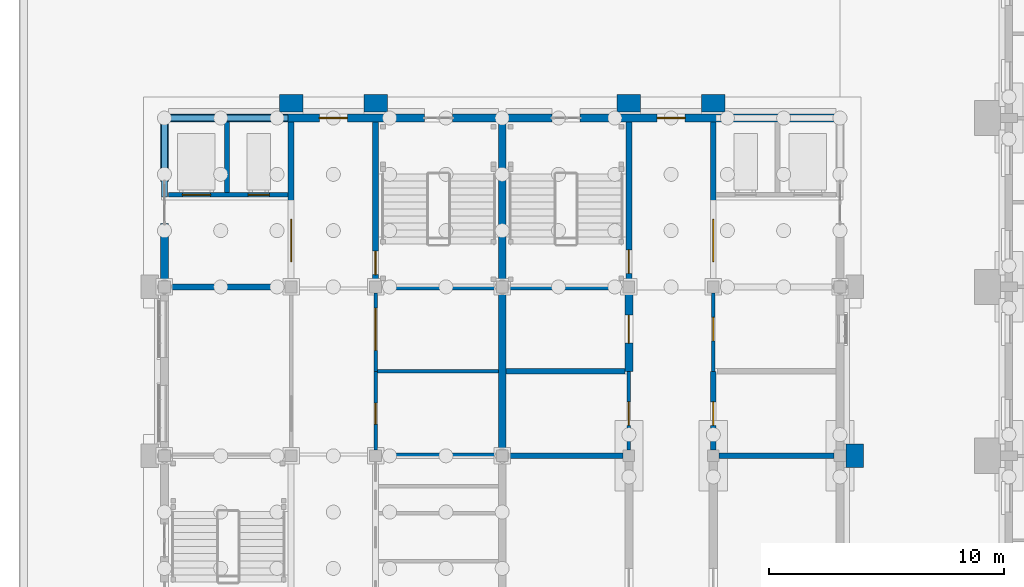
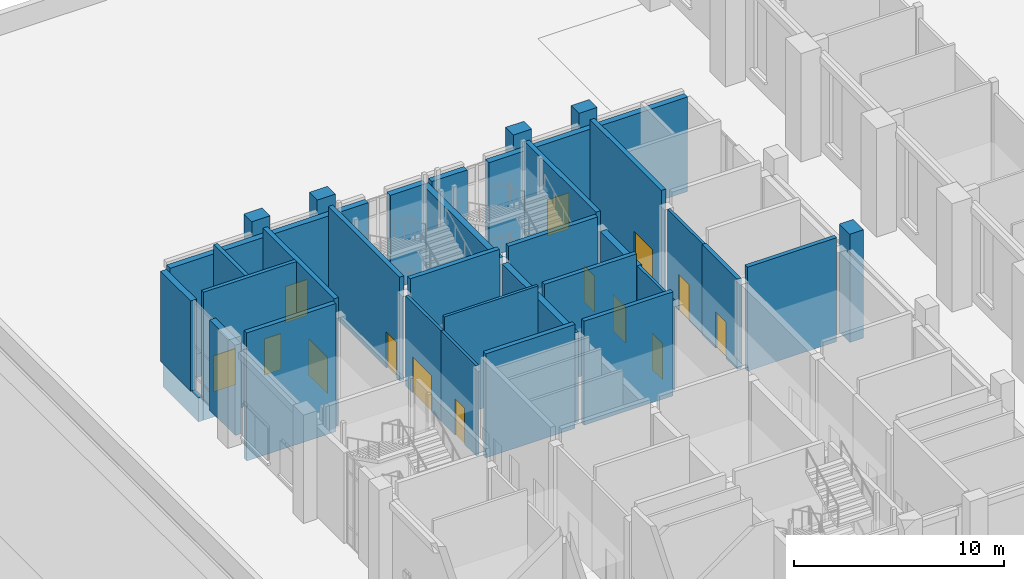
# One storey, part 36 of 84: 35 walls, 14 doors, 14 openings.
"""IFC4 building model written with IfcOpenShell, lengths in metres."""

from ifc_helpers import new_model, si_unit, direction, frame, frame_2d, origin, place, context, subcontext, project, spatial, rectangle, extrude, material, layer, layer_set, type_object, element, fill, save


model = new_model("IFC4")

# Units and contexts
model_context = context("Model", 3, precision=1e-05, world=origin(), true_north=direction((0.0, 1.0)))
body_context = subcontext(model_context, "Body", "Model", "MODEL_VIEW")
ifc_project = project(units=[si_unit("LENGTHUNIT", "METRE"), si_unit("AREAUNIT", "SQUARE_METRE"), si_unit("VOLUMEUNIT", "CUBIC_METRE"), si_unit("PLANEANGLEUNIT", "RADIAN"), si_unit("MASSUNIT", "GRAM", prefix="KILO")], contexts=[model_context])

# Site, building, storey
site_placement = place(None, origin())
site = spatial("IfcSite", under=ifc_project, at=site_placement, CompositionType="ELEMENT")
building_placement = place(site_placement, origin())
building = spatial("IfcBuilding", under=site, at=building_placement, Name="Mazhai Court Health Centre", CompositionType="ELEMENT")
storey_placement = place(building_placement, origin())
storey = spatial("IfcBuildingStorey", under=building, at=storey_placement, Name="L00", CompositionType="ELEMENT", Elevation=0.0)

# Walls
ifc_material_1 = material(Name="Clay brick masonry", Category="masonry")
ifc_layer_1 = layer(ifc_material_1, 0.75)
ifc_layer_set_1 = layer_set([ifc_layer_1], Name="BRICK PIER 750")
wall_type_1 = type_object("IfcWallType", Name="BRICK PIER 750", PredefinedType="SOLIDWALL", material=ifc_layer_set_1)
for number, where, z_axis, x_axis, name in (
    (1, (11.10009765625, 42.824951171875, 0.0), (0.0, 0.0, 1.0), (1.0, 0.0, 0.0), "EP-V2-L00-E54"),
    (2, (14.699951171875, 42.824951171875, 0.0), (0.0, 0.0, 1.0), (1.0, 0.0, 0.0), "EP-V2-L00-E90"),
    (3, (35.625, 28.300048828125, 0.0), (0.0, 0.0, 1.0), (0.0, -1.0, 0.0), "EP-V5-L00-B3"),
    (4, (25.5, 42.824951171875, 0.0), (0.0, 0.0, 1.0), (1.0, 0.0, 0.0), "EP-V5-L00-E54"),
    (5, (29.10009765625, 42.824951171875, 0.0), (0.0, 0.0, 1.0), (1.0, 0.0, 0.0), "EP-V5-L00-E90"),
):
    element("IfcWall", number, at=place(storey_placement, frame(where, z_axis=z_axis, x_axis=x_axis)), inside=storey, type_object=wall_type_1, Name=name, PredefinedType="SOLIDWALL", context=body_context, shape_type="SweptSolid", body=[
        extrude(rectangle(XDim=1.0, YDim=0.75, at=frame_2d((0.5, 0.0))), origin(), (0.0, 0.0, 1.0), 6.300048828125),
    ])
ifc_material_2 = material(Name="Clay brick masonry", Category="masonry")
ifc_layer_2 = layer(ifc_material_2, 0.22998046875)
ifc_layer_set_2 = layer_set([ifc_layer_2], Name="BRICK WALL 230 SHIELDING EI120")
wall_type_2 = type_object("IfcWallType", Name="BRICK WALL 230 SHIELDING EI120", PredefinedType="SOLIDWALL", material=ifc_layer_set_2)
wall_1_placement = place(storey_placement, frame((20.85009765625, 27.800048828125, 0.0), z_axis=(0.0, 0.0, 1.0), x_axis=(1.0, 0.0, 0.0)))
element("IfcWall", 6, at=wall_1_placement, inside=storey, type_object=wall_type_2, Name="wall-V5-L00-A0-cross-2a", PredefinedType="SOLIDWALL", context=body_context, shape_type="SweptSolid", body=[
    extrude(rectangle(XDim=4.89990234375, YDim=0.22998046875, at=frame_2d((2.449951171875, 0.0))), origin(), (0.0, 0.0, 1.0), 6.050048828125),
])
wall_2_placement = place(storey_placement, frame((20.764892578125, 31.39990234375, 0.0), z_axis=(0.0, 0.0, 1.0), x_axis=(1.0, 0.0, 0.0)))
element("IfcWall", 7, at=wall_2_placement, inside=storey, type_object=wall_type_2, Name="wall-V5-L00-A0-cross-3a", PredefinedType="SOLIDWALL", context=body_context, shape_type="SweptSolid", body=[
    extrude(rectangle(XDim=5.06005859375, YDim=0.22998046875, at=frame_2d((2.530029296875, 0.0))), origin(), (0.0, 0.0, 1.0), 6.050048828125),
])

# Wall, opening, door
wall_3_placement = place(storey_placement, frame((29.60009765625, 31.39990234375, 0.0), z_axis=(0.0, 0.0, 1.0), x_axis=(0.0, -1.0, 0.0)))
wall_3 = element("IfcWall", 8, at=wall_3_placement, inside=storey, type_object=wall_type_2, Name="wall-V5-L00-B0-corr-3a", PredefinedType="SOLIDWALL", context=body_context, shape_type="SweptSolid", body=[
    extrude(rectangle(XDim=3.349853515625, YDim=0.22998046875, at=frame_2d((1.6748046875, 0.0))), origin(), (0.0, 0.0, 1.0), 5.25),
])
opening_1_placement = place(wall_3_placement, frame((1.300048828125, 0.0, 0.0)))
opening_1 = element("IfcOpeningElement", 9, at=opening_1_placement, cuts=wall_3, Name="Opening D-L00-038", PredefinedType="OPENING", context=body_context, shape_type="SweptSolid", body=[
    extrude(rectangle(XDim=1.0, YDim=2.10009765625, at=frame_2d((0.5, 1.050048828125))), frame((0.0, 0.125, 0.0), z_axis=(0.0, -1.0, 0.0), x_axis=(1.0, 0.0, 0.0)), (0.0, 0.0, 1.0), 0.25),
])
ifc_material_3 = material(Name="Lead lined hardwood door leaf", Category="wood")
door_type_1 = type_object("IfcDoorType", Name="DOOR 1000x2100 FD30S LEAD LINED 2.0 PB", OperationType="NOTDEFINED", PredefinedType="DOOR", material=ifc_material_3)
door_1_placement = place(opening_1_placement, origin())
door_1 = element("IfcDoor", 10, at=door_1_placement, inside=storey, type_object=door_type_1, Name="door-V5-L00-B0-ct-control-room", OperationType="SINGLE_SWING_RIGHT", OverallHeight=2.10009765625, OverallWidth=1.0, PredefinedType="DOOR", context=body_context, shape_type="SweptSolid", body=[
    extrude(rectangle(XDim=1.0, YDim=2.10009765625, at=frame_2d((0.5, 1.050048828125))), frame((0.0, 0.02490234375, 0.0), z_axis=(0.0, -1.0, 0.0), x_axis=(1.0, 0.0, 0.0)), (0.0, 0.0, 1.0), 0.050048828125),
])
fill(opening_1, door_1)

# Walls
wall_4_placement = place(storey_placement, frame((34.75, 27.800048828125, 0.0), z_axis=(0.0, 0.0, 1.0), x_axis=(-1.0, 0.0, 0.0)))
element("IfcWall", 11, at=wall_4_placement, inside=storey, type_object=wall_type_2, Name="wall-V5-L00-B0-cross-3a", PredefinedType="SOLIDWALL", context=body_context, shape_type="SweptSolid", body=[
    extrude(rectangle(XDim=4.89990234375, YDim=0.22998046875, at=frame_2d((2.449951171875, 0.0))), origin(), (0.0, 0.0, 1.0), 6.050048828125),
])
ifc_material_4 = material(Name="Clay brick masonry", Category="masonry")
ifc_layer_3 = layer(ifc_material_4, 0.330078125)
ifc_layer_set_3 = layer_set([ifc_layer_3], Name="BRICK WALL 330 EXTERNAL")
wall_type_3 = type_object("IfcWallType", Name="BRICK WALL 330 EXTERNAL", PredefinedType="SOLIDWALL", material=ifc_layer_set_3)
wall_5_placement = place(storey_placement, frame((6.199951171875, 35.25, 0.0), z_axis=(0.0, 0.0, 1.0), x_axis=(0.0, 1.0, 0.0)))
element("IfcWall", 12, at=wall_5_placement, inside=storey, type_object=wall_type_3, Name="EW-V2-L00-A4a", PredefinedType="SOLIDWALL", context=body_context, shape_type="SweptSolid", body=[
    extrude(rectangle(XDim=2.449951171875, YDim=0.330078125, at=frame_2d((1.22509765625, 0.0))), origin(), (0.0, 0.0, 1.0), 5.25),
])
wall_6_placement = place(storey_placement, frame((6.199951171875, 39.5, 0.0), z_axis=(0.0, 0.0, 1.0), x_axis=(0.0, 1.0, 0.0)))
element("IfcWall", 13, at=wall_6_placement, inside=storey, type_object=wall_type_3, Name="EW-V2-L00-A4b", PredefinedType="SOLIDWALL", context=body_context, shape_type="SweptSolid", body=[
    extrude(rectangle(XDim=2.864990234375, YDim=0.330078125, at=frame_2d((1.4326171875, 0.0))), origin(), (0.0, 0.0, 1.0), 5.25),
])

# Wall, opening, door
wall_7_placement = place(storey_placement, frame((6.364990234375, 42.199951171875, 0.0), z_axis=(0.0, 0.0, 1.0), x_axis=(1.0, 0.0, 0.0)))
wall_7 = element("IfcWall", 14, at=wall_7_placement, inside=storey, type_object=wall_type_3, Name="EW-V2-L00-Ep0", PredefinedType="SOLIDWALL", context=body_context, shape_type="SweptSolid", body=[
    extrude(rectangle(XDim=10.9150390625, YDim=0.330078125, at=frame_2d((5.45751953125, 0.0))), origin(), (0.0, 0.0, 1.0), 5.5),
])
opening_2_placement = place(wall_7_placement, frame((6.43505859375, 0.0, 0.0)))
opening_2 = element("IfcOpeningElement", 15, at=opening_2_placement, cuts=wall_7, Name="Opening D-L00-009", PredefinedType="OPENING", context=body_context, shape_type="SweptSolid", body=[
    extrude(rectangle(XDim=1.199951171875, YDim=2.10009765625, at=frame_2d((0.60009765625, 1.050048828125))), frame((0.0, 0.175048828125, 0.0), z_axis=(0.0, -1.0, 0.0), x_axis=(1.0, 0.0, 0.0)), (0.0, 0.0, 1.0), 0.35009765625),
])
ifc_material_5 = material(Name="Teak timber door, glazed", Category="wood")
door_type_2 = type_object("IfcDoorType", Name="DOOR FIRE EXIT 1200x2100", OperationType="SINGLE_SWING_LEFT", PredefinedType="DOOR", material=ifc_material_5)
door_2_placement = place(opening_2_placement, origin())
door_2 = element("IfcDoor", 16, at=door_2_placement, inside=storey, type_object=door_type_2, Name="L00-E03", OperationType="SINGLE_SWING_LEFT", OverallHeight=2.10009765625, OverallWidth=1.199951171875, PredefinedType="DOOR", context=body_context, shape_type="SweptSolid", body=[
    extrude(rectangle(XDim=1.199951171875, YDim=2.10009765625, at=frame_2d((0.60009765625, 1.050048828125))), frame((0.0, 0.02490234375, 0.0), z_axis=(0.0, -1.0, 0.0), x_axis=(1.0, 0.0, 0.0)), (0.0, 0.0, 1.0), 0.050048828125),
])
fill(opening_2, door_2)

# Walls
for number, where, z_axis, x_axis, name in (
    (17, (18.47998046875, 42.199951171875, 0.0), (0.0, 0.0, 1.0), (1.0, 0.0, 0.0), "EW-V2-L00-Ep1"),
    (18, (20.764892578125, 42.199951171875, 0.0), (0.0, 0.0, 1.0), (1.0, 0.0, 0.0), "EW-V5-L00-Ep0"),
):
    element("IfcWall", number, at=place(storey_placement, frame(where, z_axis=z_axis, x_axis=x_axis)), inside=storey, type_object=wall_type_3, Name=name, PredefinedType="SOLIDWALL", context=body_context, shape_type="SweptSolid", body=[
        extrude(rectangle(XDim=1.955078125, YDim=0.330078125, at=frame_2d((0.9775390625, 0.0))), origin(), (0.0, 0.0, 1.0), 5.5),
    ])

# Wall, opening, door
wall_8_placement = place(storey_placement, frame((23.919921875, 42.199951171875, 0.0), z_axis=(0.0, 0.0, 1.0), x_axis=(1.0, 0.0, 0.0)))
wall_8 = element("IfcWall", 19, at=wall_8_placement, inside=storey, type_object=wall_type_3, Name="EW-V5-L00-Ep1", PredefinedType="SOLIDWALL", context=body_context, shape_type="SweptSolid", body=[
    extrude(rectangle(XDim=10.9150390625, YDim=0.330078125, at=frame_2d((5.45751953125, 0.0))), origin(), (0.0, 0.0, 1.0), 5.5),
])
opening_3_placement = place(wall_8_placement, frame((3.280029296875, 0.0, 0.0)))
opening_3 = element("IfcOpeningElement", 20, at=opening_3_placement, cuts=wall_8, Name="Opening D-L00-030", PredefinedType="OPENING", context=body_context, shape_type="SweptSolid", body=[
    extrude(rectangle(XDim=1.199951171875, YDim=2.10009765625, at=frame_2d((0.60009765625, 1.050048828125))), frame((0.0, 0.175048828125, 0.0), z_axis=(0.0, -1.0, 0.0), x_axis=(1.0, 0.0, 0.0)), (0.0, 0.0, 1.0), 0.35009765625),
])
door_3_placement = place(opening_3_placement, origin())
door_3 = element("IfcDoor", 21, at=door_3_placement, inside=storey, type_object=door_type_2, Name="L00-E05", OperationType="SINGLE_SWING_LEFT", OverallHeight=2.10009765625, OverallWidth=1.199951171875, PredefinedType="DOOR", context=body_context, shape_type="SweptSolid", body=[
    extrude(rectangle(XDim=1.199951171875, YDim=2.10009765625, at=frame_2d((0.60009765625, 1.050048828125))), frame((0.0, 0.02490234375, 0.0), z_axis=(0.0, -1.0, 0.0), x_axis=(1.0, 0.0, 0.0)), (0.0, 0.0, 1.0), 0.050048828125),
])
fill(opening_3, door_3)

# Walls
ifc_material_6 = material(Name="Clay brick masonry", Category="masonry")
ifc_layer_4 = layer(ifc_material_6, 0.330078125)
ifc_layer_set_4 = layer_set([ifc_layer_4], Name="BRICK WALL 330 INTERNAL")
wall_type_4 = type_object("IfcWallType", Name="BRICK WALL 330 INTERNAL", PredefinedType="SOLIDWALL", material=ifc_layer_set_4)
wall_9_placement = place(storey_placement, frame((20.60009765625, 34.75, 0.0), z_axis=(0.0, 0.0, 1.0), x_axis=(0.0, -1.0, 0.0)))
element("IfcWall", 22, at=wall_9_placement, inside=storey, type_object=wall_type_4, Name="EW-V2-L00-B3", PredefinedType="SOLIDWALL", context=body_context, shape_type="SweptSolid", body=[
    extrude(rectangle(XDim=6.699951171875, YDim=0.330078125, at=frame_2d((3.35009765625, 0.0))), origin(), (0.0, 0.0, 1.0), 5.25),
])
wall_10_placement = place(storey_placement, frame((20.60009765625, 42.364990234375, 0.0), z_axis=(0.0, 0.0, 1.0), x_axis=(0.0, -1.0, 0.0)))
element("IfcWall", 23, at=wall_10_placement, inside=storey, type_object=wall_type_4, Name="EW-V2-L00-B4", PredefinedType="SOLIDWALL", context=body_context, shape_type="SweptSolid", body=[
    extrude(rectangle(XDim=7.114990234375, YDim=0.330078125, at=frame_2d((3.5576171875, 0.0))), origin(), (0.0, 0.0, 1.0), 5.25),
])

# Wall, opening, door
ifc_material_7 = material(Name="Clay brick masonry", Category="masonry")
ifc_layer_5 = layer(ifc_material_7, 0.35009765625)
ifc_layer_set_5 = layer_set([ifc_layer_5], Name="BRICK WALL 350 SHIELDING EI120")
wall_type_5 = type_object("IfcWallType", Name="BRICK WALL 350 SHIELDING EI120", PredefinedType="SOLIDWALL", material=ifc_layer_set_5)
wall_11_placement = place(storey_placement, frame((26.0, 31.39990234375, 0.0), z_axis=(0.0, 0.0, 1.0), x_axis=(0.0, 1.0, 0.0)))
wall_11 = element("IfcWall", 24, at=wall_11_placement, inside=storey, type_object=wall_type_5, Name="wall-V5-L00-A0-corr-3a", PredefinedType="SOLIDWALL", context=body_context, shape_type="SweptSolid", body=[
    extrude(rectangle(XDim=3.35009765625, YDim=0.35009765625, at=frame_2d((1.675048828125, 0.0))), origin(), (0.0, 0.0, 1.0), 5.25),
])
opening_4_placement = place(wall_11_placement, frame((1.199951171875, 0.0, 0.0)))
opening_4 = element("IfcOpeningElement", 25, at=opening_4_placement, cuts=wall_11, Name="Opening D-L00-027", PredefinedType="OPENING", context=body_context, shape_type="SweptSolid", body=[
    extrude(rectangle(XDim=1.199951171875, YDim=2.10009765625, at=frame_2d((0.60009765625, 1.050048828125))), frame((0.0, 0.18505859375, 0.0), z_axis=(0.0, -1.0, 0.0), x_axis=(1.0, 0.0, 0.0)), (0.0, 0.0, 1.0), 0.3701171875),
])
ifc_material_8 = material(Name="Lead lined hardwood door leaf", Category="wood")
door_type_3 = type_object("IfcDoorType", Name="DOOR 1200x2100 FD30S LEAD LINED 2.0 PB", OperationType="NOTDEFINED", PredefinedType="DOOR", material=ifc_material_8)
door_4_placement = place(opening_4_placement, origin())
door_4 = element("IfcDoor", 26, at=door_4_placement, inside=storey, type_object=door_type_3, Name="door-V5-L00-A0-opg-room", OperationType="SINGLE_SWING_RIGHT", OverallHeight=2.10009765625, OverallWidth=1.199951171875, PredefinedType="DOOR", context=body_context, shape_type="SweptSolid", body=[
    extrude(rectangle(XDim=1.199951171875, YDim=2.10009765625, at=frame_2d((0.60009765625, 1.050048828125))), frame((0.0, 0.02490234375, 0.0), z_axis=(0.0, -1.0, 0.0), x_axis=(1.0, 0.0, 0.0)), (0.0, 0.0, 1.0), 0.050048828125),
])
fill(opening_4, door_4)

ifc_material_9 = material(Name="Gypsum plasterboard partition")
ifc_layer_6 = layer(ifc_material_9, 0.14990234375)
ifc_layer_set_6 = layer_set([ifc_layer_6], Name="PARTITION 150 CORRIDOR EI60")
wall_type_6 = type_object("IfcWallType", Name="PARTITION 150 CORRIDOR EI60", PredefinedType="PARTITIONING", material=ifc_layer_set_6)
wall_12_placement = place(storey_placement, frame((15.199951171875, 28.050048828125, 0.0), z_axis=(0.0, 0.0, 1.0), x_axis=(0.0, 1.0, 0.0)))
wall_12 = element("IfcWall", 27, at=wall_12_placement, inside=storey, type_object=wall_type_6, Name="wall-V2-L00-B1-corr-0a", PredefinedType="PARTITIONING", context=body_context, shape_type="SweptSolid", body=[
    extrude(rectangle(XDim=3.349853515625, YDim=0.14990234375, at=frame_2d((1.6748046875, 0.0))), origin(), (0.0, 0.0, 1.0), 5.25),
])
opening_5_placement = place(wall_12_placement, frame((1.10009765625, 0.0, 0.0)))
opening_5 = element("IfcOpeningElement", 28, at=opening_5_placement, cuts=wall_12, Name="Opening D-L00-020", PredefinedType="OPENING", context=body_context, shape_type="SweptSolid", body=[
    extrude(rectangle(XDim=0.89990234375, YDim=2.10009765625, at=frame_2d((0.449951171875, 1.050048828125))), frame((0.0, 0.0849609375, 0.0), z_axis=(0.0, -1.0, 0.0), x_axis=(1.0, 0.0, 0.0)), (0.0, 0.0, 1.0), 0.169921875),
])
ifc_material_10 = material(Name="Hardwood door leaf", Category="wood")
door_type_4 = type_object("IfcDoorType", Name="DOOR 900x2100 FD30S SINGLE", OperationType="NOTDEFINED", PredefinedType="DOOR", material=ifc_material_10)
door_5_placement = place(opening_5_placement, origin())
door_5 = element("IfcDoor", 29, at=door_5_placement, inside=storey, type_object=door_type_4, Name="door-V2-L00-B1-patient-changing-room", OperationType="SINGLE_SWING_LEFT", OverallHeight=2.10009765625, OverallWidth=0.89990234375, PredefinedType="DOOR", context=body_context, shape_type="SweptSolid", body=[
    extrude(rectangle(XDim=0.89990234375, YDim=2.10009765625, at=frame_2d((0.449951171875, 1.050048828125))), frame((0.0, 0.02490234375, 0.0), z_axis=(0.0, -1.0, 0.0), x_axis=(1.0, 0.0, 0.0)), (0.0, 0.0, 1.0), 0.050048828125),
])
fill(opening_5, door_5)

wall_13_placement = place(storey_placement, frame((15.199951171875, 34.75, 0.0), z_axis=(0.0, 0.0, 1.0), x_axis=(0.0, -1.0, 0.0)))
wall_13 = element("IfcWall", 30, at=wall_13_placement, inside=storey, type_object=wall_type_6, Name="wall-V2-L00-B1-corr-1a", PredefinedType="PARTITIONING", context=body_context, shape_type="SweptSolid", body=[
    extrude(rectangle(XDim=3.35009765625, YDim=0.14990234375, at=frame_2d((1.675048828125, 0.0))), origin(), (0.0, 0.0, 1.0), 5.25),
])
opening_6_placement = place(wall_13_placement, frame((0.64990234375, 0.0, 0.0)))
opening_6 = element("IfcOpeningElement", 31, at=opening_6_placement, cuts=wall_13, Name="Opening D-L00-021", PredefinedType="OPENING", context=body_context, shape_type="SweptSolid", body=[
    extrude(rectangle(XDim=1.800048828125, YDim=2.10009765625, at=frame_2d((0.89990234375, 1.050048828125))), frame((0.0, 0.0849609375, 0.0), z_axis=(0.0, -1.0, 0.0), x_axis=(1.0, 0.0, 0.0)), (0.0, 0.0, 1.0), 0.169921875),
])
ifc_material_11 = material(Name="Hardwood door leaf", Category="wood")
door_type_5 = type_object("IfcDoorType", Name="DOOR 1800x2100 FD30S DOUBLE", OperationType="NOTDEFINED", PredefinedType="DOOR", material=ifc_material_11)
door_6_placement = place(opening_6_placement, origin())
door_6 = element("IfcDoor", 32, at=door_6_placement, inside=storey, type_object=door_type_5, Name="door-V2-L00-B1-pre-operative-bay", OperationType="DOUBLE_DOOR_SINGLE_SWING", OverallHeight=2.10009765625, OverallWidth=1.800048828125, PredefinedType="DOOR", context=body_context, shape_type="SweptSolid", body=[
    extrude(rectangle(XDim=1.800048828125, YDim=2.10009765625, at=frame_2d((0.89990234375, 1.050048828125))), frame((0.0, 0.02490234375, 0.0), z_axis=(0.0, -1.0, 0.0), x_axis=(1.0, 0.0, 0.0)), (0.0, 0.0, 1.0), 0.050048828125),
])
fill(opening_6, door_6)

wall_14_placement = place(storey_placement, frame((26.0, 28.050048828125, 0.0), z_axis=(0.0, 0.0, 1.0), x_axis=(0.0, 1.0, 0.0)))
wall_14 = element("IfcWall", 33, at=wall_14_placement, inside=storey, type_object=wall_type_6, Name="wall-V5-L00-A0-corr-2a", PredefinedType="PARTITIONING", context=body_context, shape_type="SweptSolid", body=[
    extrude(rectangle(XDim=3.349853515625, YDim=0.14990234375, at=frame_2d((1.6748046875, 0.0))), origin(), (0.0, 0.0, 1.0), 5.25),
])
opening_7_placement = place(wall_14_placement, frame((1.050048828125, 0.0, 0.0)))
opening_7 = element("IfcOpeningElement", 34, at=opening_7_placement, cuts=wall_14, Name="Opening D-L00-026", PredefinedType="OPENING", context=body_context, shape_type="SweptSolid", body=[
    extrude(rectangle(XDim=1.0, YDim=2.10009765625, at=frame_2d((0.5, 1.050048828125))), frame((0.0, 0.0849609375, 0.0), z_axis=(0.0, -1.0, 0.0), x_axis=(1.0, 0.0, 0.0)), (0.0, 0.0, 1.0), 0.169921875),
])
ifc_material_12 = material(Name="Hardwood door leaf", Category="wood")
door_type_6 = type_object("IfcDoorType", Name="DOOR 1000x2100 FD30S SINGLE", OperationType="NOTDEFINED", PredefinedType="DOOR", material=ifc_material_12)
door_7_placement = place(opening_7_placement, origin())
door_7 = element("IfcDoor", 35, at=door_7_placement, inside=storey, type_object=door_type_6, Name="door-V5-L00-A0-ultrasound-room-1", OperationType="SINGLE_SWING_LEFT", OverallHeight=2.10009765625, OverallWidth=1.0, PredefinedType="DOOR", context=body_context, shape_type="SweptSolid", body=[
    extrude(rectangle(XDim=1.0, YDim=2.10009765625, at=frame_2d((0.5, 1.050048828125))), frame((0.0, 0.02490234375, 0.0), z_axis=(0.0, -1.0, 0.0), x_axis=(1.0, 0.0, 0.0)), (0.0, 0.0, 1.0), 0.050048828125),
])
fill(opening_7, door_7)

wall_15_placement = place(storey_placement, frame((29.60009765625, 34.75, 0.0), z_axis=(0.0, 0.0, 1.0), x_axis=(0.0, -1.0, 0.0)))
wall_15 = element("IfcWall", 36, at=wall_15_placement, inside=storey, type_object=wall_type_6, Name="wall-V5-L00-B0-corr-4a", PredefinedType="PARTITIONING", context=body_context, shape_type="SweptSolid", body=[
    extrude(rectangle(XDim=3.35009765625, YDim=0.14990234375, at=frame_2d((1.675048828125, 0.0))), origin(), (0.0, 0.0, 1.0), 5.25),
])
opening_8_placement = place(wall_15_placement, frame((1.050048828125, 0.0, 0.0)))
opening_8 = element("IfcOpeningElement", 37, at=opening_8_placement, cuts=wall_15, Name="Opening D-L00-039", PredefinedType="OPENING", context=body_context, shape_type="SweptSolid", body=[
    extrude(rectangle(XDim=1.0, YDim=2.10009765625, at=frame_2d((0.5, 1.050048828125))), frame((0.0, 0.0849609375, 0.0), z_axis=(0.0, -1.0, 0.0), x_axis=(1.0, 0.0, 0.0)), (0.0, 0.0, 1.0), 0.169921875),
])
door_8_placement = place(opening_8_placement, origin())
door_8 = element("IfcDoor", 38, at=door_8_placement, inside=storey, type_object=door_type_6, Name="door-V5-L00-B0-reporting-room", OperationType="SINGLE_SWING_LEFT", OverallHeight=2.10009765625, OverallWidth=1.0, PredefinedType="DOOR", context=body_context, shape_type="SweptSolid", body=[
    extrude(rectangle(XDim=1.0, YDim=2.10009765625, at=frame_2d((0.5, 1.050048828125))), frame((0.0, 0.02490234375, 0.0), z_axis=(0.0, -1.0, 0.0), x_axis=(1.0, 0.0, 0.0)), (0.0, 0.0, 1.0), 0.050048828125),
])
fill(opening_8, door_8)

# Walls
ifc_material_13 = material(Name="Gypsum plasterboard partition")
ifc_layer_7 = layer(ifc_material_13, 0.14990234375)
ifc_layer_set_7 = layer_set([ifc_layer_7], Name="PARTITION 150 WET AREA EI30")
wall_type_7 = type_object("IfcWallType", Name="PARTITION 150 WET AREA EI30", PredefinedType="PARTITIONING", material=ifc_layer_set_7)
wall_16_placement = place(storey_placement, frame((20.43505859375, 31.39990234375, 0.0), z_axis=(0.0, 0.0, 1.0), x_axis=(-1.0, 0.0, 0.0)))
element("IfcWall", 39, at=wall_16_placement, inside=storey, type_object=wall_type_7, Name="wall-V2-L00-B1-cross-1a", PredefinedType="PARTITIONING", context=body_context, shape_type="SweptSolid", body=[
    extrude(rectangle(XDim=5.16015625, YDim=0.14990234375, at=frame_2d((2.580078125, 0.0))), origin(), (0.0, 0.0, 1.0), 6.050048828125),
])
ifc_material_14 = material(Name="Concrete M40", Category="concrete")
ifc_layer_8 = layer(ifc_material_14, 0.25)
ifc_layer_set_8 = layer_set([ifc_layer_8], Name="RC CORE WALL 250 M40")
wall_type_8 = type_object("IfcWallType", Name="RC CORE WALL 250 M40", PredefinedType="SHEAR", material=ifc_layer_set_8)
wall_17_placement = place(storey_placement, frame((15.449951171875, 27.800048828125, 0.0), z_axis=(0.0, 0.0, 1.0), x_axis=(1.0, 0.0, 0.0)))
element("IfcWall", 40, at=wall_17_placement, inside=storey, type_object=wall_type_8, Name="core-C2-w-other-line1-L00", PredefinedType="SHEAR", context=body_context, shape_type="SweptSolid", body=[
    extrude(rectangle(XDim=4.900146484375, YDim=0.25, at=frame_2d((2.4501953125, 0.0))), origin(), (0.0, 0.0, 1.0), 6.050048828125),
])

# Wall, opening, door
wall_18_placement = place(storey_placement, frame((15.199951171875, 35.25, 0.0), z_axis=(0.0, 0.0, 1.0), x_axis=(0.0, 1.0, 0.0)))
wall_18 = element("IfcWall", 41, at=wall_18_placement, inside=storey, type_object=wall_type_8, Name="core-C3-w-stair-corr-L00", PredefinedType="SHEAR", context=body_context, shape_type="SweptSolid", body=[
    extrude(rectangle(XDim=6.784912109375, YDim=0.25, at=frame_2d((3.392578125, 0.0))), origin(), (0.0, 0.0, 1.0), 6.050048828125),
])
opening_9_placement = place(wall_18_placement, frame((0.27490234375, 0.0, 0.0)))
opening_9 = element("IfcOpeningElement", 42, at=opening_9_placement, cuts=wall_18, Name="Opening D-L00-022", PredefinedType="OPENING", context=body_context, shape_type="SweptSolid", body=[
    extrude(rectangle(XDim=1.0, YDim=2.10009765625, at=frame_2d((0.5, 1.050048828125))), frame((0.0, 0.135009765625, 0.0), z_axis=(0.0, -1.0, 0.0), x_axis=(1.0, 0.0, 0.0)), (0.0, 0.0, 1.0), 0.27001953125),
])
ifc_material_15 = material(Name="Steel fire door leaf", Category="steel")
door_type_7 = type_object("IfcDoorType", Name="FD120S STAIR DOOR 1000x2100", OperationType="SINGLE_SWING_LEFT", PredefinedType="DOOR", material=ifc_material_15)
door_9_placement = place(opening_9_placement, origin())
door_9 = element("IfcDoor", 43, at=door_9_placement, inside=storey, type_object=door_type_7, Name="Stair 3 door L00", OperationType="SINGLE_SWING_LEFT", OverallHeight=2.10009765625, OverallWidth=1.0, PredefinedType="DOOR", context=body_context, shape_type="SweptSolid", body=[
    extrude(rectangle(XDim=1.0, YDim=2.10009765625, at=frame_2d((0.5, 1.050048828125))), frame((0.0, 0.02490234375, 0.0), z_axis=(0.0, -1.0, 0.0), x_axis=(1.0, 0.0, 0.0)), (0.0, 0.0, 1.0), 0.050048828125),
])
fill(opening_9, door_9)

# Wall
wall_19_placement = place(storey_placement, frame((15.449951171875, 35.0, 0.0), z_axis=(0.0, 0.0, 1.0), x_axis=(1.0, 0.0, 0.0)))
element("IfcWall", 44, at=wall_19_placement, inside=storey, type_object=wall_type_8, Name="core-C3-w-stair-line0-L00", PredefinedType="SHEAR", context=body_context, shape_type="SweptSolid", body=[
    extrude(rectangle(XDim=4.900146484375, YDim=0.25, at=frame_2d((2.4501953125, 0.0))), origin(), (0.0, 0.0, 1.0), 6.050048828125),
])

# Wall, opening, door
wall_20_placement = place(storey_placement, frame((11.60009765625, 35.25, -1.39990234375), z_axis=(0.0, 0.0, 1.0), x_axis=(0.0, 1.0, 0.0)))
wall_20 = element("IfcWall", 45, at=wall_20_placement, inside=storey, type_object=wall_type_8, Name="core-C3-w-other-corr-L00", PredefinedType="SHEAR", context=body_context, shape_type="SweptSolid", body=[
    extrude(rectangle(XDim=6.784912109375, YDim=0.25, at=frame_2d((3.392578125, 0.0))), origin(), (0.0, 0.0, 1.0), 7.449951171875),
])
opening_10_placement = place(wall_20_placement, frame((0.830078125, 0.0, 1.39990234375)))
opening_10 = element("IfcOpeningElement", 46, at=opening_10_placement, cuts=wall_20, Name="Opening D-L00-007", PredefinedType="OPENING", context=body_context, shape_type="SweptSolid", body=[
    extrude(rectangle(XDim=1.800048828125, YDim=2.10009765625, at=frame_2d((0.89990234375, 1.050048828125))), frame((0.0, 0.135009765625, 0.0), z_axis=(0.0, -1.0, 0.0), x_axis=(1.0, 0.0, 0.0)), (0.0, 0.0, 1.0), 0.27001953125),
])
ifc_material_16 = material(Name="Steel fire door leaf", Category="steel")
door_type_8 = type_object("IfcDoorType", Name="FD60S LIFT LOBBY DOOR 1800x2100", OperationType="DOUBLE_DOOR_SINGLE_SWING", PredefinedType="DOOR", material=ifc_material_16)
door_10_placement = place(opening_10_placement, origin())
door_10 = element("IfcDoor", 47, at=door_10_placement, inside=storey, type_object=door_type_8, Name="Lift lobby door L00", OperationType="DOUBLE_DOOR_SINGLE_SWING", OverallHeight=2.10009765625, OverallWidth=1.800048828125, PredefinedType="DOOR", context=body_context, shape_type="SweptSolid", body=[
    extrude(rectangle(XDim=1.800048828125, YDim=2.10009765625, at=frame_2d((0.89990234375, 1.050048828125))), frame((0.0, 0.02490234375, 0.0), z_axis=(0.0, -1.0, 0.0), x_axis=(1.0, 0.0, 0.0)), (0.0, 0.0, 1.0), 0.050048828125),
])
fill(opening_10, door_10)

# Walls
wall_21_placement = place(storey_placement, frame((6.449951171875, 35.0, -1.39990234375), z_axis=(0.0, 0.0, 1.0), x_axis=(1.0, 0.0, 0.0)))
element("IfcWall", 48, at=wall_21_placement, inside=storey, type_object=wall_type_8, Name="core-C3-w-other-line0-L00", PredefinedType="SHEAR", context=body_context, shape_type="SweptSolid", body=[
    extrude(rectangle(XDim=4.900146484375, YDim=0.25, at=frame_2d((2.4501953125, 0.0))), origin(), (0.0, 0.0, 1.0), 7.449951171875),
])
wall_22_placement = place(storey_placement, frame((6.364990234375, 42.199951171875, -1.39990234375), z_axis=(0.0, 0.0, 1.0), x_axis=(1.0, 0.0, 0.0)))
element("IfcWall", 49, at=wall_22_placement, inside=storey, type_object=wall_type_8, Name="core-C3-w-pit-end", PredefinedType="SHEAR", context=body_context, shape_type="SweptSolid", body=[
    extrude(rectangle(XDim=5.110107421875, YDim=0.25, at=frame_2d((2.55517578125, 0.0))), origin(), (0.0, 0.0, 1.0), 1.39990234375),
])
wall_23_placement = place(storey_placement, frame((6.199951171875, 38.8349609375, -1.39990234375), z_axis=(0.0, 0.0, 1.0), x_axis=(0.0, 1.0, 0.0)))
element("IfcWall", 50, at=wall_23_placement, inside=storey, type_object=wall_type_8, Name="core-C3-w-pit-facade", PredefinedType="SHEAR", context=body_context, shape_type="SweptSolid", body=[
    extrude(rectangle(XDim=3.364990234375, YDim=0.25, at=frame_2d((1.6826171875, 0.0))), origin(), (0.0, 0.0, 1.0), 1.39990234375),
])

# Wall, opening, door
wall_24_placement = place(storey_placement, frame((26.0, 35.25, 0.0), z_axis=(0.0, 0.0, 1.0), x_axis=(0.0, 1.0, 0.0)))
wall_24 = element("IfcWall", 51, at=wall_24_placement, inside=storey, type_object=wall_type_8, Name="core-C5-w-stair-corr-L00", PredefinedType="SHEAR", context=body_context, shape_type="SweptSolid", body=[
    extrude(rectangle(XDim=6.784912109375, YDim=0.25, at=frame_2d((3.392578125, 0.0))), origin(), (0.0, 0.0, 1.0), 6.050048828125),
])
opening_11_placement = place(wall_24_placement, frame((0.324951171875, 0.0, 0.0)))
opening_11 = element("IfcOpeningElement", 52, at=opening_11_placement, cuts=wall_24, Name="Opening D-L00-028", PredefinedType="OPENING", context=body_context, shape_type="SweptSolid", body=[
    extrude(rectangle(XDim=1.0, YDim=2.10009765625, at=frame_2d((0.5, 1.050048828125))), frame((0.0, 0.135009765625, 0.0), z_axis=(0.0, -1.0, 0.0), x_axis=(1.0, 0.0, 0.0)), (0.0, 0.0, 1.0), 0.27001953125),
])
door_11_placement = place(opening_11_placement, origin())
door_11 = element("IfcDoor", 53, at=door_11_placement, inside=storey, type_object=door_type_7, Name="Stair 5 door L00", OperationType="SINGLE_SWING_LEFT", OverallHeight=2.10009765625, OverallWidth=1.0, PredefinedType="DOOR", context=body_context, shape_type="SweptSolid", body=[
    extrude(rectangle(XDim=1.0, YDim=2.10009765625, at=frame_2d((0.5, 1.050048828125))), frame((0.0, 0.02490234375, 0.0), z_axis=(0.0, -1.0, 0.0), x_axis=(1.0, 0.0, 0.0)), (0.0, 0.0, 1.0), 0.050048828125),
])
fill(opening_11, door_11)

# Wall
wall_25_placement = place(storey_placement, frame((20.85009765625, 35.0, 0.0), z_axis=(0.0, 0.0, 1.0), x_axis=(1.0, 0.0, 0.0)))
element("IfcWall", 54, at=wall_25_placement, inside=storey, type_object=wall_type_8, Name="core-C5-w-stair-line0-L00", PredefinedType="SHEAR", context=body_context, shape_type="SweptSolid", body=[
    extrude(rectangle(XDim=4.89990234375, YDim=0.25, at=frame_2d((2.449951171875, 0.0))), origin(), (0.0, 0.0, 1.0), 6.050048828125),
])

# Wall, opening, door
wall_26_placement = place(storey_placement, frame((29.60009765625, 35.25, -1.39990234375), z_axis=(0.0, 0.0, 1.0), x_axis=(0.0, 1.0, 0.0)))
wall_26 = element("IfcWall", 55, at=wall_26_placement, inside=storey, type_object=wall_type_8, Name="core-C5-w-other-corr-L00", PredefinedType="SHEAR", context=body_context, shape_type="SweptSolid", body=[
    extrude(rectangle(XDim=6.784912109375, YDim=0.25, at=frame_2d((3.392578125, 0.0))), origin(), (0.0, 0.0, 1.0), 7.449951171875),
])
opening_12_placement = place(wall_26_placement, frame((0.830078125, 0.0, 1.39990234375)))
opening_12 = element("IfcOpeningElement", 56, at=opening_12_placement, cuts=wall_26, Name="Opening D-L00-040", PredefinedType="OPENING", context=body_context, shape_type="SweptSolid", body=[
    extrude(rectangle(XDim=1.800048828125, YDim=2.10009765625, at=frame_2d((0.89990234375, 1.050048828125))), frame((0.0, 0.135009765625, 0.0), z_axis=(0.0, -1.0, 0.0), x_axis=(1.0, 0.0, 0.0)), (0.0, 0.0, 1.0), 0.27001953125),
])
door_12_placement = place(opening_12_placement, origin())
door_12 = element("IfcDoor", 57, at=door_12_placement, inside=storey, type_object=door_type_8, Name="Lift lobby door L00", OperationType="DOUBLE_DOOR_SINGLE_SWING", OverallHeight=2.10009765625, OverallWidth=1.800048828125, PredefinedType="DOOR", context=body_context, shape_type="SweptSolid", body=[
    extrude(rectangle(XDim=1.800048828125, YDim=2.10009765625, at=frame_2d((0.89990234375, 1.050048828125))), frame((0.0, 0.02490234375, 0.0), z_axis=(0.0, -1.0, 0.0), x_axis=(1.0, 0.0, 0.0)), (0.0, 0.0, 1.0), 0.050048828125),
])
fill(opening_12, door_12)

# Wall, openings, doors
ifc_material_17 = material(Name="Concrete M40", Category="concrete")
ifc_layer_9 = layer(ifc_material_17, 0.199951171875)
ifc_layer_set_9 = layer_set([ifc_layer_9], Name="RC SHAFT WALL 200 M40")
wall_type_9 = type_object("IfcWallType", Name="RC SHAFT WALL 200 M40", PredefinedType="SHEAR", material=ifc_layer_set_9)
wall_27_placement = place(storey_placement, frame((6.364990234375, 38.93505859375, -1.39990234375), z_axis=(0.0, 0.0, 1.0), x_axis=(1.0, 0.0, 0.0)))
wall_27 = element("IfcWall", 58, at=wall_27_placement, inside=storey, type_object=wall_type_9, Name="core-C3-w-front-L00", PredefinedType="SHEAR", context=body_context, shape_type="SweptSolid", body=[
    extrude(rectangle(XDim=5.110107421875, YDim=0.199951171875, at=frame_2d((2.55517578125, 0.0))), origin(), (0.0, 0.0, 1.0), 7.449951171875),
])
opening_13_placement = place(wall_27_placement, frame((0.60009765625, 0.0, 1.39990234375)))
opening_13 = element("IfcOpeningElement", 59, at=opening_13_placement, cuts=wall_27, Name="Opening LD1-L00", PredefinedType="OPENING", context=body_context, shape_type="SweptSolid", body=[
    extrude(rectangle(XDim=1.199951171875, YDim=2.10009765625, at=frame_2d((0.60009765625, 1.050048828125))), frame((0.0, 0.10986328125, 0.0), z_axis=(0.0, -1.0, 0.0), x_axis=(1.0, 0.0, 0.0)), (0.0, 0.0, 1.0), 0.219970703125),
])
opening_14_placement = place(wall_27_placement, frame((3.405029296875, 0.0, 1.39990234375)))
opening_14 = element("IfcOpeningElement", 60, at=opening_14_placement, cuts=wall_27, Name="Opening LD2-L00", PredefinedType="OPENING", context=body_context, shape_type="SweptSolid", body=[
    extrude(rectangle(XDim=0.89990234375, YDim=2.10009765625, at=frame_2d((0.449951171875, 1.050048828125))), frame((0.0, 0.10986328125, 0.0), z_axis=(0.0, -1.0, 0.0), x_axis=(1.0, 0.0, 0.0)), (0.0, 0.0, 1.0), 0.219970703125),
])
ifc_material_18 = material(Name="Stainless steel lift door", Category="steel")
door_type_9 = type_object("IfcDoorType", Name="LIFT LANDING DOOR 1200x2100", OperationType="DOUBLE_DOOR_SLIDING", PredefinedType="DOOR", material=ifc_material_18)
door_13_placement = place(opening_13_placement, origin())
door_13 = element("IfcDoor", 61, at=door_13_placement, inside=storey, type_object=door_type_9, Name="Landing door LD1 L00", OperationType="DOUBLE_DOOR_SLIDING", OverallHeight=2.10009765625, OverallWidth=1.199951171875, PredefinedType="DOOR", context=body_context, shape_type="SweptSolid", body=[
    extrude(rectangle(XDim=1.199951171875, YDim=2.10009765625, at=frame_2d((0.60009765625, 1.050048828125))), frame((0.0, 0.02490234375, 0.0), z_axis=(0.0, -1.0, 0.0), x_axis=(1.0, 0.0, 0.0)), (0.0, 0.0, 1.0), 0.050048828125),
])
fill(opening_13, door_13)
ifc_material_19 = material(Name="Stainless steel lift door", Category="steel")
door_type_10 = type_object("IfcDoorType", Name="LIFT LANDING DOOR 900x2100", OperationType="DOUBLE_DOOR_SLIDING", PredefinedType="DOOR", material=ifc_material_19)
door_14_placement = place(opening_14_placement, origin())
door_14 = element("IfcDoor", 62, at=door_14_placement, inside=storey, type_object=door_type_10, Name="Landing door LD2 L00", OperationType="DOUBLE_DOOR_SLIDING", OverallHeight=2.10009765625, OverallWidth=0.89990234375, PredefinedType="DOOR", context=body_context, shape_type="SweptSolid", body=[
    extrude(rectangle(XDim=0.89990234375, YDim=2.10009765625, at=frame_2d((0.449951171875, 1.050048828125))), frame((0.0, 0.02490234375, 0.0), z_axis=(0.0, -1.0, 0.0), x_axis=(1.0, 0.0, 0.0)), (0.0, 0.0, 1.0), 0.050048828125),
])
fill(opening_14, door_14)

# Wall
wall_28_placement = place(storey_placement, frame((8.864990234375, 42.034912109375, -1.39990234375), z_axis=(0.0, 0.0, 1.0), x_axis=(0.0, -1.0, 0.0)))
element("IfcWall", 63, at=wall_28_placement, inside=storey, type_object=wall_type_9, Name="core-C3-w-divider0-L00", PredefinedType="SHEAR", context=body_context, shape_type="SweptSolid", body=[
    extrude(rectangle(XDim=3.0, YDim=0.199951171875, at=frame_2d((1.5, 0.0))), origin(), (0.0, 0.0, 1.0), 7.449951171875),
])

save(model, "model.ifc")
